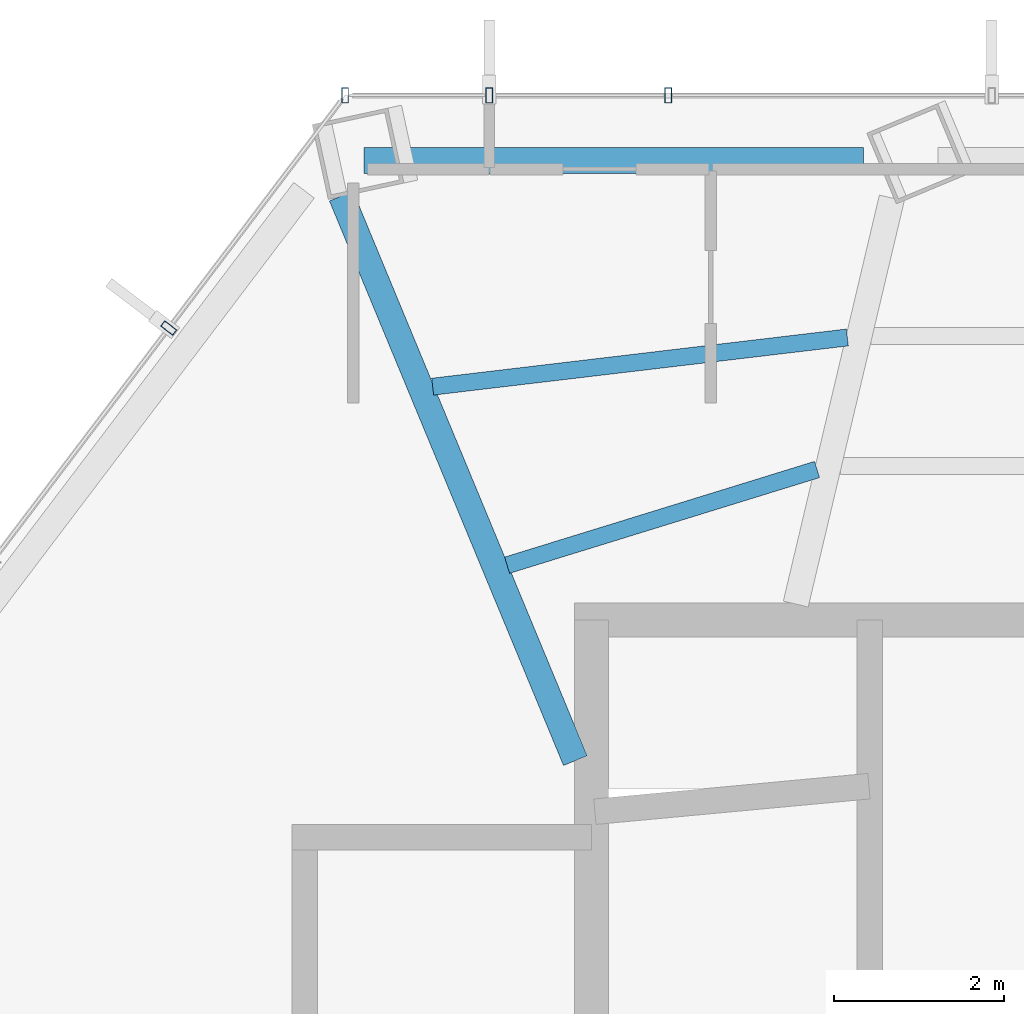
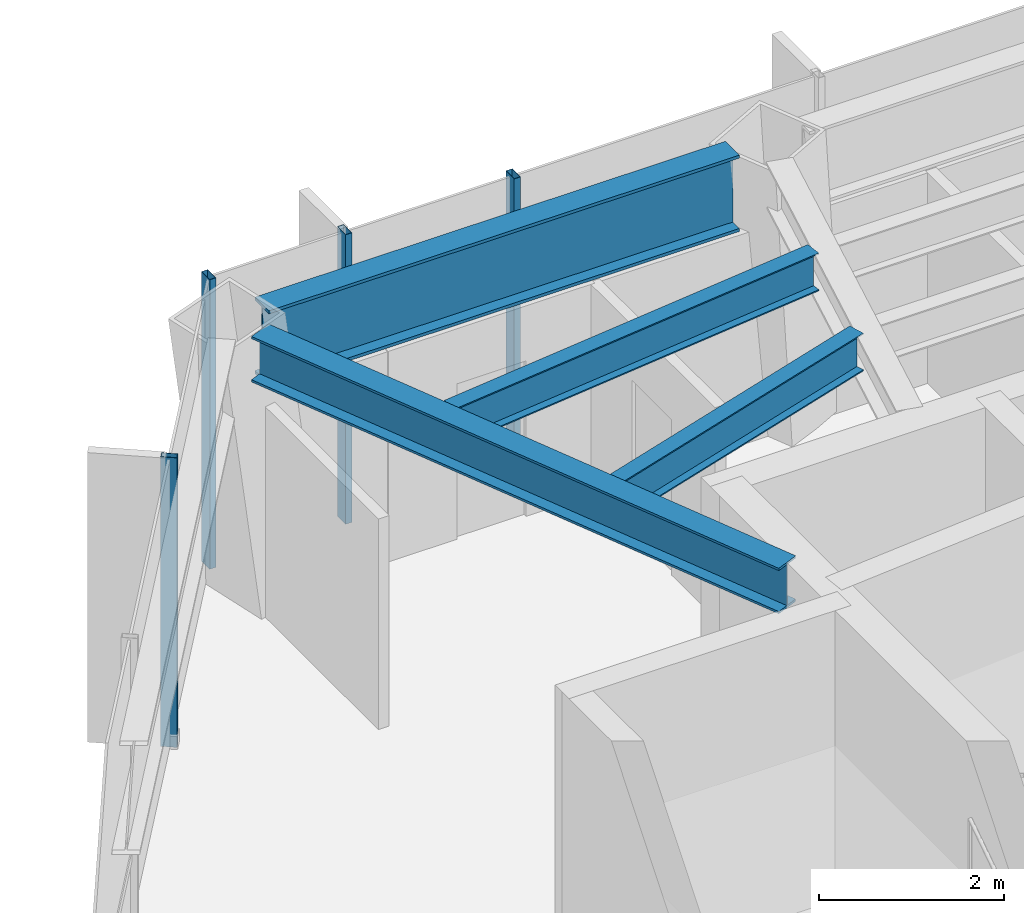
# One storey, part 12 of 26: 4 beams, 4 members, 2 elements without a shape of their own.
"""IFC4 building model written with IfcOpenShell, lengths in metres."""

from ifc_helpers import new_model, si_unit, direction, frame, origin, origin_2d, place, context, subcontext, project, spatial, hollow_rectangle, i_section, extrude, material, layer, layer_set, material_profile, profile_set, type_object, element, aggregate, save


model = new_model("IFC4")

# Units and contexts
model_context = context("Model", 3, precision=1e-05, world=origin(), true_north=direction((0.0, 1.0)))
body_context = subcontext(model_context, "Body", "Model", "MODEL_VIEW")
ifc_project = project(units=[si_unit("LENGTHUNIT", "METRE"), si_unit("AREAUNIT", "SQUARE_METRE"), si_unit("VOLUMEUNIT", "CUBIC_METRE"), si_unit("PLANEANGLEUNIT", "RADIAN"), si_unit("MASSUNIT", "GRAM", prefix="KILO")], contexts=[model_context])

# Site, building, storey
site_placement = place(None, origin())
site = spatial("IfcSite", under=ifc_project, at=site_placement, CompositionType="ELEMENT")
building_placement = place(site_placement, origin())
building = spatial("IfcBuilding", under=site, at=building_placement, Name="Zarrinselat Tower", CompositionType="ELEMENT")
storey_placement = place(building_placement, frame((0.0, 0.0, 92.820068359375)))
storey = spatial("IfcBuildingStorey", under=building, at=storey_placement, Name="L22", CompositionType="ELEMENT", Elevation=92.820068359375)

# Beams
ifc_material_1 = material(Name="Steel S355J2", Category="steel")
ifc_material_profile_1 = material_profile(ifc_material_1, i_section(OverallWidth=0.300048828125, OverallDepth=0.60009765625, WebThickness=0.015380859375, FlangeThickness=0.030029296875, at=origin_2d()), Name="HEB 600")
ifc_profile_set_1 = profile_set([ifc_material_profile_1], Name="Steel S355J2")
beam_type_1 = type_object("IfcBeamType", Name="BM-HEB600", PredefinedType="BEAM", material=ifc_profile_set_1)
beam_1_placement = place(storey_placement, frame((25.65966796875, 48.4326171875, 3.52001953125), z_axis=(0.383033421719, -0.923734484496, 0.0), x_axis=(0.923734484496, 0.383033421719, 0.0)))
element("IfcBeam", 1, at=beam_1_placement, inside=storey, type_object=beam_type_1, Name="L22 Radial Primary Girder RG05", PredefinedType="BEAM", context=body_context, shape_type="SweptSolid", body=[
    extrude(i_section(OverallWidth=0.300048828125, OverallDepth=0.60009765625, WebThickness=0.015380859375, FlangeThickness=0.030029296875, at=origin_2d()), origin(), (0.0, 0.0, 1.0), 7.18017578125),
])
ifc_material_2 = material(Name="Steel S460M", Category="steel")
ifc_material_profile_2 = material_profile(ifc_material_2, i_section(OverallWidth=0.302001953125, OverallDepth=1.008056640625, WebThickness=0.02099609375, FlangeThickness=0.0400390625, at=origin_2d()), Name="HEM 1000")
ifc_profile_set_2 = profile_set([ifc_material_profile_2], Name="Steel S460M")
beam_type_2 = type_object("IfcBeamType", Name="BM-HEM1000", PredefinedType="BEAM", material=ifc_profile_set_2)
beam_2_placement = place(storey_placement, frame((25.924560546875, 48.85009765625, 3.31591796875), z_axis=(1.0, 0.0, 0.0), x_axis=(0.0, 1.0, 0.0)))
element("IfcBeam", 2, at=beam_2_placement, inside=storey, type_object=beam_type_2, Name="L22 Perimeter Spandrel Girder SP04", PredefinedType="BEAM", context=body_context, shape_type="SweptSolid", body=[
    extrude(i_section(OverallWidth=0.302001953125, OverallDepth=1.008056640625, WebThickness=0.02099609375, FlangeThickness=0.0400390625, at=origin_2d()), origin(), (0.0, 0.0, 1.0), 5.870361328125),
])
ifc_material_3 = material(Name="Steel S355J2", Category="steel")
ifc_material_profile_3 = material_profile(ifc_material_3, i_section(OverallWidth=0.199951171875, OverallDepth=0.5, WebThickness=0.01025390625, FlangeThickness=0.01611328125, at=origin_2d()), Name="IPE 500")
ifc_profile_set_3 = profile_set([ifc_material_profile_3], Name="Steel S355J2")
beam_type_3 = type_object("IfcBeamType", Name="BM-IPE500", PredefinedType="JOIST", material=ifc_profile_set_3)
beam_3_placement = place(storey_placement, frame((26.73388671875, 46.19384765625, 3.56982421875), z_axis=(0.993039083992, 0.117785303258, 0.0), x_axis=(-0.117785303258, 0.993039083992, 0.0)))
element("IfcBeam", 3, at=beam_3_placement, inside=storey, type_object=beam_type_3, Name="L22 Composite Floor Joist 9-1", PredefinedType="JOIST", context=body_context, shape_type="SweptSolid", body=[
    extrude(i_section(OverallWidth=0.199951171875, OverallDepth=0.5, WebThickness=0.01025390625, FlangeThickness=0.01611328125, at=origin_2d()), origin(), (0.0, 0.0, 1.0), 4.90625),
])
beam_4_placement = place(storey_placement, frame((27.608642578125, 44.09619140625, 3.56982421875), z_axis=(0.955494609773, 0.295008560376, 0.0), x_axis=(-0.295008560376, 0.955494609773, 0.0)))
element("IfcBeam", 4, at=beam_4_placement, inside=storey, type_object=beam_type_3, Name="L22 Composite Floor Joist 9-2", PredefinedType="JOIST", context=body_context, shape_type="SweptSolid", body=[
    extrude(i_section(OverallWidth=0.199951171875, OverallDepth=0.5, WebThickness=0.01025390625, FlangeThickness=0.01611328125, at=origin_2d()), origin(), (0.0, 0.0, 1.0), 3.81103515625),
])

# Curtain wall, members
ifc_material_4 = material(Name="Extruded Aluminium Alloy EN AW-6063 T6", Category="aluminium")
ifc_layer = layer(ifc_material_4, 0.18505859375)
ifc_layer_set = layer_set([ifc_layer], Name="Extruded Aluminium Alloy EN AW-6063 T6")
curtain_wall_type = type_object("IfcCurtainWallType", Name="CWS-OFF", PredefinedType="NOTDEFINED", material=ifc_layer_set)
curtain_wall_1_placement = place(storey_placement, origin())
curtain_wall_1 = element("IfcCurtainWall", 5, at=curtain_wall_1_placement, inside=storey, type_object=curtain_wall_type, Name="L22 Unitised Curtain Wall CW-L22-E01", PredefinedType="NOTDEFINED")
ifc_material_5 = material(Name="Extruded Aluminium Alloy EN AW-6063 T6", Category="aluminium")
ifc_material_profile_4 = material_profile(ifc_material_5, hollow_rectangle(XDim=0.080078125, YDim=0.179931640625, WallThickness=0.0048828125, at=origin_2d()), Name="RHS 180x80x5")
ifc_profile_set_4 = profile_set([ifc_material_profile_4], Name="Extruded Aluminium Alloy EN AW-6063 T6")
member_type = type_object("IfcMemberType", Name="MEM-CW-MUL", PredefinedType="MULLION", material=ifc_profile_set_4)
member_1_placement = place(storey_placement, frame((29.502685546875, 49.61669921875, 0.0), z_axis=(0.0, 0.0, 1.0), x_axis=(-1.0, 0.0, 0.0)))
member_1 = element("IfcMember", 6, at=member_1_placement, type_object=member_type, Name="CW-L22-E01 Mullion 6", PredefinedType="MULLION", context=body_context, shape_type="SweptSolid", body=[
    extrude(hollow_rectangle(XDim=0.080078125, YDim=0.179931640625, WallThickness=0.0048828125, at=origin_2d()), origin(), (0.0, 0.0, 1.0), 3.81982421875),
])
member_2_placement = place(storey_placement, frame((27.39990234375, 49.61669921875, 0.0), z_axis=(0.0, 0.0, 1.0), x_axis=(-1.0, 0.0, 0.0)))
member_2 = element("IfcMember", 7, at=member_2_placement, type_object=member_type, Name="CW-L22-E01 Mullion 7", PredefinedType="MULLION", context=body_context, shape_type="SweptSolid", body=[
    extrude(hollow_rectangle(XDim=0.080078125, YDim=0.179931640625, WallThickness=0.0048828125, at=origin_2d()), origin(), (0.0, 0.0, 1.0), 3.81982421875),
])
member_3_placement = place(storey_placement, frame((25.70458984375, 49.61669921875, 0.0), z_axis=(0.0, 0.0, 1.0), x_axis=(-1.0, 0.0, 0.0)))
member_3 = element("IfcMember", 8, at=member_3_placement, type_object=member_type, Name="CW-L22-E01 Mullion 8", PredefinedType="MULLION", context=body_context, shape_type="SweptSolid", body=[
    extrude(hollow_rectangle(XDim=0.080078125, YDim=0.179931640625, WallThickness=0.0048828125, at=origin_2d()), origin(), (0.0, 0.0, 1.0), 3.81982421875),
])
aggregate(curtain_wall_1, [member_1, member_2, member_3])

# Curtain wall, member
curtain_wall_2_placement = place(storey_placement, origin())
curtain_wall_2 = element("IfcCurtainWall", 9, at=curtain_wall_2_placement, inside=storey, type_object=curtain_wall_type, Name="L22 Unitised Curtain Wall CW-L22-E02", PredefinedType="NOTDEFINED")
member_4_placement = place(storey_placement, frame((23.633056640625, 46.882568359375, 0.0), z_axis=(0.0, 0.0, 1.0), x_axis=(-0.603857014451, -0.797092658414, 0.0)))
member_4 = element("IfcMember", 10, at=member_4_placement, type_object=member_type, Name="CW-L22-E02 Mullion 1", PredefinedType="MULLION", context=body_context, shape_type="SweptSolid", body=[
    extrude(hollow_rectangle(XDim=0.080078125, YDim=0.179931640625, WallThickness=0.0048828125, at=origin_2d()), origin(), (0.0, 0.0, 1.0), 3.81982421875),
])
aggregate(curtain_wall_2, [member_4])

save(model, "model.ifc")
